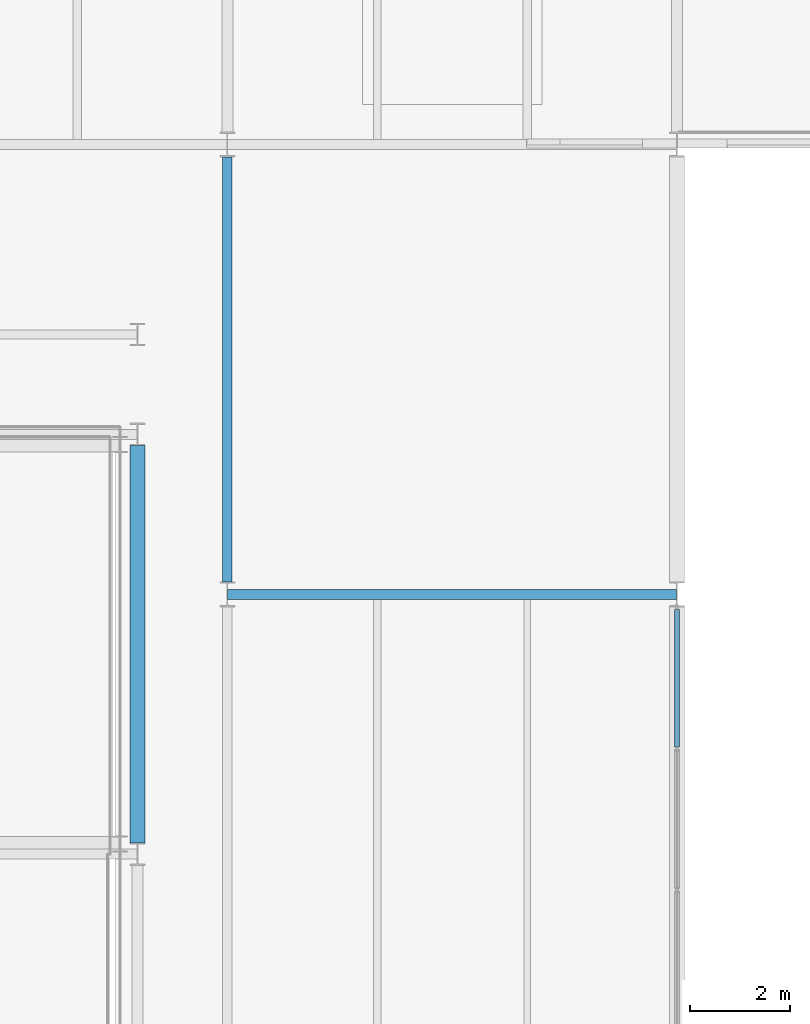
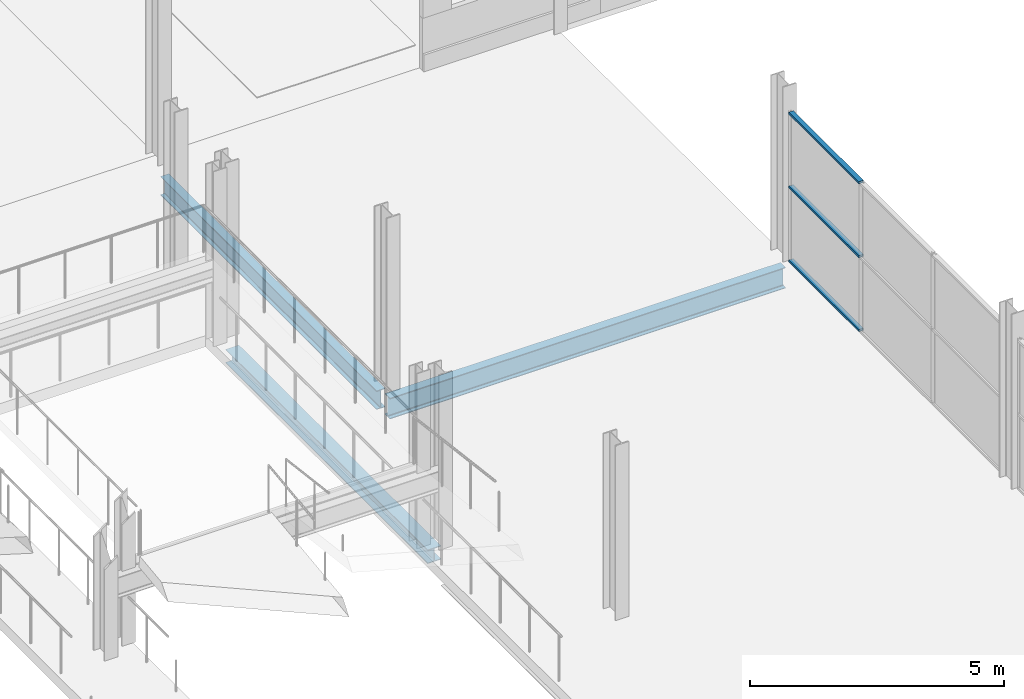
# One storey, part 39 of 103: 3 beams, 3 members, 1 element without a shape of its own.
"""IFC4 building model written with IfcOpenShell, lengths in metres."""

from ifc_helpers import new_model, si_unit, direction, frame, origin, origin_2d, place, context, subcontext, project, spatial, hollow_rectangle, i_section, extrude, material, layer, layer_set, material_profile, profile_set, type_object, element, aggregate, save


model = new_model("IFC4")

# Units and contexts
model_context = context("Model", 3, precision=1e-05, world=origin(), true_north=direction((0.0, 1.0)))
body_context = subcontext(model_context, "Body", "Model", "MODEL_VIEW")
ifc_project = project(units=[si_unit("LENGTHUNIT", "METRE"), si_unit("AREAUNIT", "SQUARE_METRE"), si_unit("VOLUMEUNIT", "CUBIC_METRE"), si_unit("PLANEANGLEUNIT", "RADIAN"), si_unit("MASSUNIT", "GRAM", prefix="KILO")], contexts=[model_context])

# Site, building, storey
site_placement = place(None, origin())
site = spatial("IfcSite", under=ifc_project, at=site_placement, CompositionType="ELEMENT")
building_placement = place(site_placement, origin())
building = spatial("IfcBuilding", under=site, at=building_placement, Name="Deido Ridge Mobility Hub", CompositionType="ELEMENT")
storey_placement = place(building_placement, frame((0.0, 0.0, 12.60009765625)))
storey = spatial("IfcBuildingStorey", under=building, at=storey_placement, Name="L03", CompositionType="ELEMENT", Elevation=12.60009765625)

# Beams
ifc_material_1 = material(Name="Steel S355J2 EN 10025-2", Category="steel")
ifc_material_profile_1 = material_profile(ifc_material_1, i_section(OverallWidth=0.300048828125, OverallDepth=0.330078125, WebThickness=0.009521484375, FlangeThickness=0.0166015625, FilletRadius=0.027099609375, at=origin_2d()), Name="HEA 340")
ifc_profile_set_1 = profile_set([ifc_material_profile_1], Name="Steel S355J2 EN 10025-2")
beam_type_1 = type_object("IfcBeamType", Name="BM-HEA340", PredefinedType="BEAM", material=ifc_profile_set_1)
beam_1_placement = place(storey_placement, frame((97.199951171875, 67.02490234375, -0.43017578125), z_axis=(0.0, 1.0, 0.0), x_axis=(-1.0, 0.0, 0.0)))
element("IfcBeam", 1, at=beam_1_placement, inside=storey, type_object=beam_type_1, Name="Floor beam B6", PredefinedType="BEAM", context=body_context, shape_type="SweptSolid", body=[
    extrude(i_section(OverallWidth=0.300048828125, OverallDepth=0.330078125, WebThickness=0.009521484375, FlangeThickness=0.0166015625, FilletRadius=0.027099609375, at=origin_2d()), origin(), (0.0, 0.0, 1.0), 7.9501953125),
])
ifc_material_profile_2 = material_profile(ifc_material_1, i_section(OverallWidth=0.18994140625, OverallDepth=0.449951171875, WebThickness=0.009521484375, FlangeThickness=0.0146484375, FilletRadius=0.02099609375, at=origin_2d()), Name="IPE 450")
ifc_profile_set_2 = profile_set([ifc_material_profile_2], Name="Steel S355J2 EN 10025-2")
beam_type_2 = type_object("IfcBeamType", Name="BM-IPE450", PredefinedType="BEAM", material=ifc_profile_set_2)
beam_2_placement = place(storey_placement, frame((99.0, 72.25, -0.489990234375), z_axis=(0.0, 1.0, 0.0), x_axis=(-1.0, 0.0, 0.0)))
element("IfcBeam", 2, at=beam_2_placement, inside=storey, type_object=beam_type_2, Name="Floor beam B4", PredefinedType="BEAM", context=body_context, shape_type="SweptSolid", body=[
    extrude(i_section(OverallWidth=0.18994140625, OverallDepth=0.449951171875, WebThickness=0.009521484375, FlangeThickness=0.0146484375, FilletRadius=0.02099609375, at=origin_2d()), origin(), (0.0, 0.0, 1.0), 8.5),
])
ifc_material_profile_3 = material_profile(ifc_material_1, i_section(OverallWidth=0.199951171875, OverallDepth=0.5, WebThickness=0.01025390625, FlangeThickness=0.01611328125, FilletRadius=0.02099609375, at=origin_2d()), Name="IPE 500")
ifc_profile_set_3 = profile_set([ifc_material_profile_3], Name="Steel S355J2 EN 10025-2")
beam_type_3 = type_object("IfcBeamType", Name="BM-IPE500", PredefinedType="BEAM", material=ifc_profile_set_3)
beam_3_placement = place(storey_placement, frame((99.007080078125, 72.0, -0.51513671875), z_axis=(1.0, 0.0, 0.0), x_axis=(0.0, 1.0, 0.0)))
element("IfcBeam", 3, at=beam_3_placement, inside=storey, type_object=beam_type_3, Name="Floor beam B3", PredefinedType="BEAM", context=body_context, shape_type="SweptSolid", body=[
    extrude(i_section(OverallWidth=0.199951171875, OverallDepth=0.5, WebThickness=0.01025390625, FlangeThickness=0.01611328125, FilletRadius=0.02099609375, at=origin_2d()), origin(), (0.0, 0.0, 1.0), 8.98583984375),
])

# Curtain wall, members
ifc_material_2 = material(Name="Anodised aluminium EN AW-6063 T6", Category="aluminium")
ifc_layer = layer(ifc_material_2, 0.2548828125, Name="Anodised aluminium EN AW-6063 T6")
ifc_layer_set = layer_set([ifc_layer], Name="Anodised aluminium EN AW-6063 T6")
curtain_wall_type = type_object("IfcCurtainWallType", Name="CW-UF-7", PredefinedType="USERDEFINED", material=ifc_layer_set)
curtain_wall_placement = place(storey_placement, origin())
curtain_wall = element("IfcCurtainWall", 4, at=curtain_wall_placement, inside=storey, type_object=curtain_wall_type, Name="Unitised curtain wall CW7", ObjectType="UNITISED FACADE", PredefinedType="USERDEFINED")
ifc_material_profile_4 = material_profile(ifc_material_2, hollow_rectangle(XDim=0.10498046875, YDim=0.050048828125, WallThickness=0.00390625, at=origin_2d()), Name="RHS 105x50x4")
ifc_profile_set_4 = profile_set([ifc_material_profile_4], Name="Anodised aluminium EN AW-6063 T6")
member_type = type_object("IfcMemberType", Name="MEM-TRN-105X50", PredefinedType="USERDEFINED", material=ifc_profile_set_4)
member_1_placement = place(storey_placement, frame((108.0, 68.941650390625, 0.02490234375), z_axis=(0.0, 1.0, 0.0), x_axis=(-1.0, 0.0, 0.0)))
member_1 = element("IfcMember", 5, at=member_1_placement, type_object=member_type, Name="CW7 transom 3.1", ObjectType="TRANSOM", PredefinedType="USERDEFINED", context=body_context, shape_type="SweptSolid", body=[
    extrude(hollow_rectangle(XDim=0.10498046875, YDim=0.050048828125, WallThickness=0.00390625, at=origin_2d()), origin(), (0.0, 0.0, 1.0), 2.75830078125),
])
member_2_placement = place(storey_placement, frame((108.0, 68.941650390625, 1.7998046875), z_axis=(0.0, 1.0, 0.0), x_axis=(-1.0, 0.0, 0.0)))
member_2 = element("IfcMember", 6, at=member_2_placement, type_object=member_type, Name="CW7 transom 3.2", ObjectType="TRANSOM", PredefinedType="USERDEFINED", context=body_context, shape_type="SweptSolid", body=[
    extrude(hollow_rectangle(XDim=0.10498046875, YDim=0.050048828125, WallThickness=0.00390625, at=origin_2d()), origin(), (0.0, 0.0, 1.0), 2.75830078125),
])
member_3_placement = place(storey_placement, frame((108.0, 68.941650390625, 3.574951171875), z_axis=(0.0, 1.0, 0.0), x_axis=(-1.0, 0.0, 0.0)))
member_3 = element("IfcMember", 7, at=member_3_placement, type_object=member_type, Name="CW7 transom 3.3", ObjectType="TRANSOM", PredefinedType="USERDEFINED", context=body_context, shape_type="SweptSolid", body=[
    extrude(hollow_rectangle(XDim=0.10498046875, YDim=0.050048828125, WallThickness=0.00390625, at=origin_2d()), origin(), (0.0, 0.0, 1.0), 2.75830078125),
])
aggregate(curtain_wall, [member_1, member_2, member_3])

save(model, "model.ifc")
